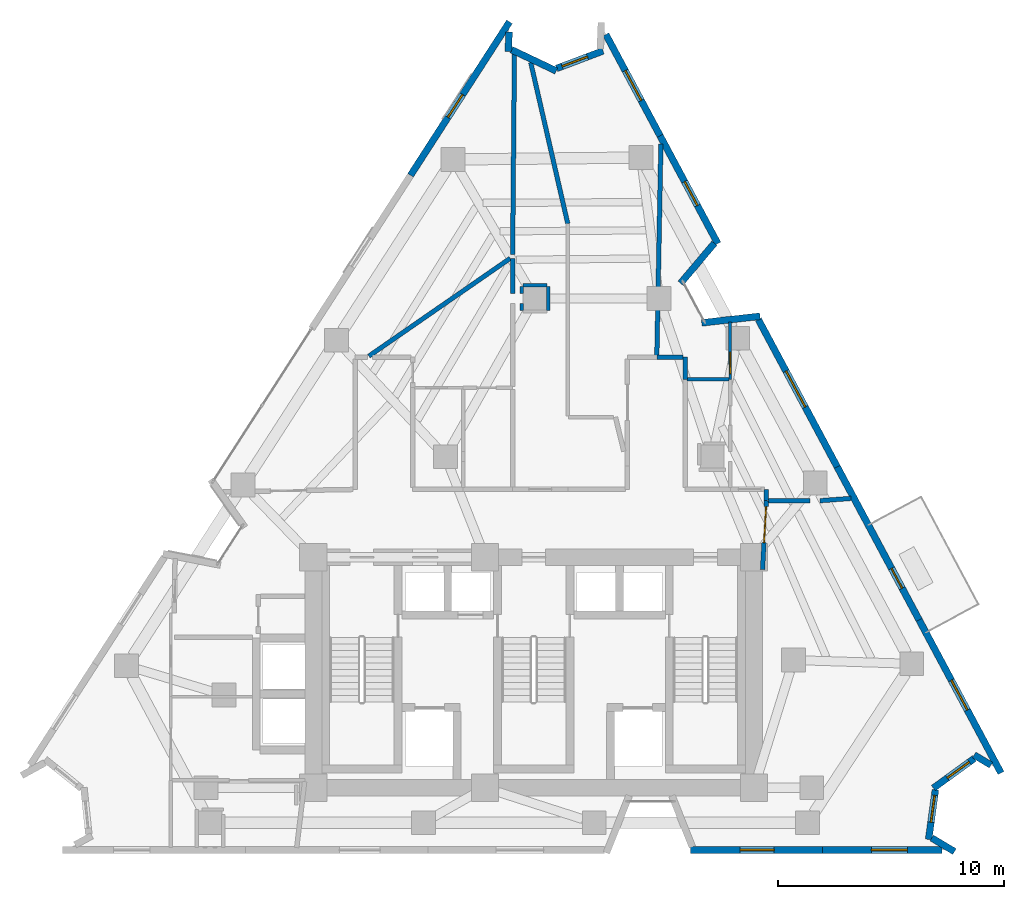
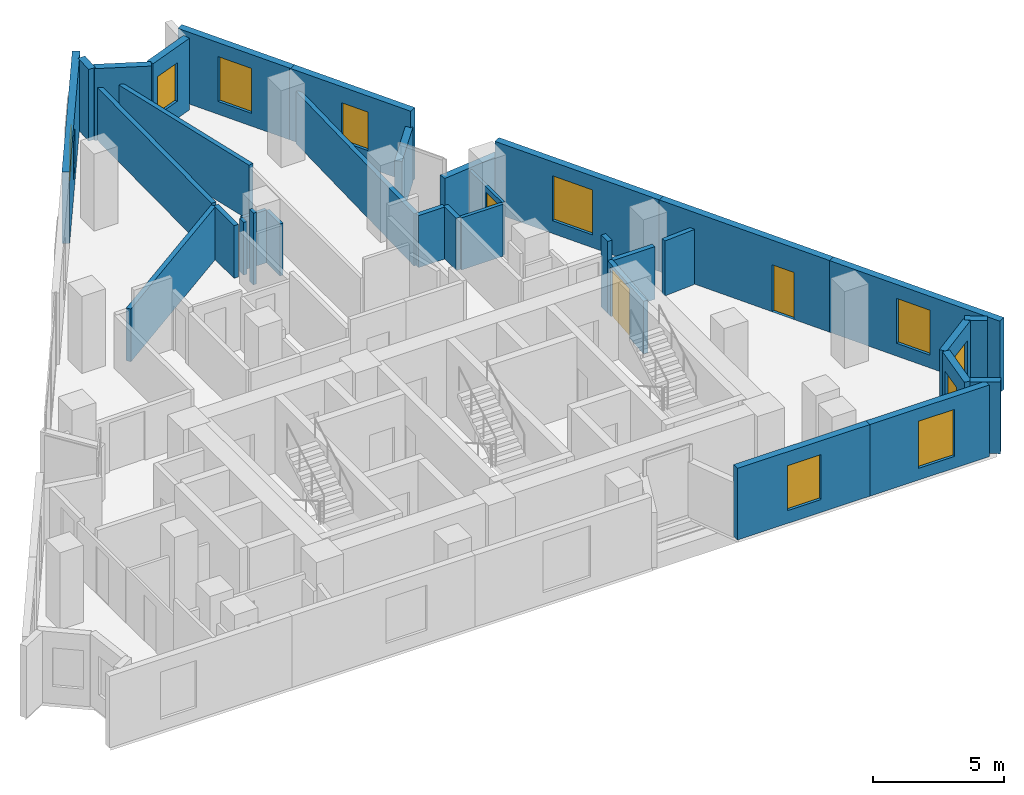
# One storey, part 8 of 11: 34 walls, 10 windows, 3 doors, 13 openings.
"""IFC4 building model written with IfcOpenShell, lengths in metres."""

from ifc_helpers import new_model, si_unit, direction, frame, frame_2d, origin, place, context, subcontext, project, spatial, rectangle, extrude, material, layer, layer_set, type_object, element, fill, save


model = new_model("IFC4")

# Units and contexts
model_context = context("Model", 3, precision=1e-05, world=origin(), true_north=direction((0.0, 1.0)))
body_context = subcontext(model_context, "Body", "Model", "MODEL_VIEW")
ifc_project = project(units=[si_unit("LENGTHUNIT", "METRE"), si_unit("AREAUNIT", "SQUARE_METRE"), si_unit("VOLUMEUNIT", "CUBIC_METRE"), si_unit("PLANEANGLEUNIT", "RADIAN"), si_unit("MASSUNIT", "GRAM", prefix="KILO")], contexts=[model_context])

# Site, building, storey
site_placement = place(None, origin())
site = spatial("IfcSite", under=ifc_project, at=site_placement, CompositionType="ELEMENT")
building_placement = place(site_placement, origin())
building = spatial("IfcBuilding", under=site, at=building_placement, Name="Almagre Mirador Tower", CompositionType="ELEMENT")
storey_placement = place(building_placement, frame((0.0, 0.0, 189.60009765625)))
storey = spatial("IfcBuildingStorey", under=building, at=storey_placement, Name="L49", CompositionType="ELEMENT", Elevation=189.60009765625)

# Wall, opening, window
ifc_material_1 = material(Name="Precast concrete C50/60", Category="concrete")
ifc_layer_1 = layer(ifc_material_1, 0.300048828125)
ifc_layer_set_1 = layer_set([ifc_layer_1], Name="Precast concrete C50/60")
wall_type_1 = type_object("IfcWallType", Name="WAL-EXT-300", PredefinedType="SOLIDWALL", material=ifc_layer_set_1)
wall_1_placement = place(storey_placement, frame((31.853271484375, 31.64990234375, 0.0), z_axis=(0.0, 0.0, 1.0), x_axis=(0.542006403754, 0.84037435604, 0.0)))
wall_1 = element("IfcWall", 1, at=wall_1_placement, inside=storey, type_object=wall_type_1, Name="L49 expressed almagre precast frame wall 04", PredefinedType="SOLIDWALL", context=body_context, shape_type="SweptSolid", body=[
    extrude(rectangle(XDim=8.07861328125, YDim=0.300048828125, at=frame_2d((4.039306640625, 0.0))), origin(), (0.0, 0.0, 1.0), 3.349853515625),
])
opening_1_placement = place(wall_1_placement, frame((3.050048828125, 0.0, 0.800048828125)))
opening_1 = element("IfcOpeningElement", 2, at=opening_1_placement, cuts=wall_1, Name="Opening WN-04", PredefinedType="OPENING", context=body_context, shape_type="SweptSolid", body=[
    extrude(rectangle(XDim=1.199951171875, YDim=1.800048828125, at=frame_2d((0.60009765625, 0.89990234375))), frame((0.0, 0.159902, 0.0), z_axis=(0.0, -1.0, 0.0), x_axis=(1.0, 0.0, 0.0)), (0.0, 0.0, 1.0), 0.320049),
])
ifc_material_2 = material(Name="Dark solar-control laminated hurricane glass", Category="glass")
window_type_1 = type_object("IfcWindowType", Name="WIN-1200X1800", PartitioningType="SINGLE_PANEL", PredefinedType="WINDOW", material=ifc_material_2)
window_1_placement = place(opening_1_placement, origin())
window_1 = element("IfcWindow", 3, at=window_1_placement, inside=storey, type_object=window_type_1, Name="L49 recessed hurricane window L49-RST-D", OverallHeight=1.800048828125, OverallWidth=1.199951171875, PartitioningType="SINGLE_PANEL", PredefinedType="WINDOW", context=body_context, shape_type="SweptSolid", body=[
    extrude(rectangle(XDim=1.199951171875, YDim=1.800048828125, at=frame_2d((0.60009765625, 0.89990234375))), frame((0.0, 0.030029296875, 0.0), z_axis=(0.0, -1.0, 0.0), x_axis=(1.0, 0.0, 0.0)), (0.0, 0.0, 1.0), 0.06005859375),
])
fill(opening_1, window_1)

# Walls
wall_2_placement = place(storey_placement, frame((36.213623046875, 37.994384765625, 0.0), z_axis=(0.0, 0.0, 1.0), x_axis=(-0.040926134278, -0.999162174791, 0.0)))
element("IfcWall", 4, at=wall_2_placement, inside=storey, type_object=wall_type_1, Name="L49 expressed almagre precast frame wall 05", PredefinedType="SOLIDWALL", context=body_context, shape_type="SweptSolid", body=[
    extrude(rectangle(XDim=0.864990234375, YDim=0.300048828125, at=frame_2d((0.4326171875, 0.0))), origin(), (0.0, 0.0, 1.0), 3.349853515625),
])
wall_3_placement = place(storey_placement, frame((36.310546875, 37.2099609375, 0.0), z_axis=(0.0, 0.0, 1.0), x_axis=(0.903471604204, -0.428647944585, 0.0)))
element("IfcWall", 5, at=wall_3_placement, inside=storey, type_object=wall_type_1, Name="L49 expressed almagre precast frame wall 06", PredefinedType="SOLIDWALL", context=body_context, shape_type="SweptSolid", body=[
    extrude(rectangle(XDim=2.204833984375, YDim=0.300048828125, at=frame_2d((1.1025390625, 0.0))), origin(), (0.0, 0.0, 1.0), 3.349853515625),
])

# Wall, opening, window
wall_4_placement = place(storey_placement, frame((38.31640625, 36.3779296875, 0.0), z_axis=(0.0, 0.0, 1.0), x_axis=(0.935503953589, 0.353316222129, 0.0)))
wall_4 = element("IfcWall", 6, at=wall_4_placement, inside=storey, type_object=wall_type_1, Name="L49 expressed almagre precast frame wall 07", PredefinedType="SOLIDWALL", context=body_context, shape_type="SweptSolid", body=[
    extrude(rectangle(XDim=2.1953125, YDim=0.300048828125, at=frame_2d((1.09765625, 0.0))), origin(), (0.0, 0.0, 1.0), 3.349853515625),
])
opening_2_placement = place(wall_4_placement, frame((0.260009765625, 0.0, 0.800048828125)))
opening_2 = element("IfcOpeningElement", 7, at=opening_2_placement, cuts=wall_4, Name="Opening WN-04", PredefinedType="OPENING", context=body_context, shape_type="SweptSolid", body=[
    extrude(rectangle(XDim=1.199951171875, YDim=1.800048828125, at=frame_2d((0.60009765625, 0.89990234375))), frame((0.0, 0.159902, 0.0), z_axis=(0.0, -1.0, 0.0), x_axis=(1.0, 0.0, 0.0)), (0.0, 0.0, 1.0), 0.320049),
])
window_2_placement = place(opening_2_placement, origin())
window_2 = element("IfcWindow", 8, at=window_2_placement, inside=storey, type_object=window_type_1, Name="L49 recessed hurricane window L49-RST-H", OverallHeight=1.800048828125, OverallWidth=1.199951171875, PartitioningType="SINGLE_PANEL", PredefinedType="WINDOW", context=body_context, shape_type="SweptSolid", body=[
    extrude(rectangle(XDim=1.199951171875, YDim=1.800048828125, at=frame_2d((0.60009765625, 0.89990234375))), frame((0.0, 0.030029296875, 0.0), z_axis=(0.0, -1.0, 0.0), x_axis=(1.0, 0.0, 0.0)), (0.0, 0.0, 1.0), 0.06005859375),
])
fill(opening_2, window_2)

wall_5_placement = place(storey_placement, frame((40.4970703125, 37.880615234375, 0.0), z_axis=(0.0, 0.0, 1.0), x_axis=(0.471779002276, -0.881716832669, 0.0)))
wall_5 = element("IfcWall", 9, at=wall_5_placement, inside=storey, type_object=wall_type_1, Name="L49 expressed almagre precast frame wall 09", PredefinedType="SOLIDWALL", context=body_context, shape_type="SweptSolid", body=[
    extrude(rectangle(XDim=5.0849609375, YDim=0.300048828125, at=frame_2d((2.54248046875, 0.0))), origin(), (0.0, 0.0, 1.0), 3.349853515625),
])
opening_3_placement = place(wall_5_placement, frame((1.81494140625, 0.0, 0.60009765625)))
opening_3 = element("IfcOpeningElement", 10, at=opening_3_placement, cuts=wall_5, Name="Opening WN-03", PredefinedType="OPENING", context=body_context, shape_type="SweptSolid", body=[
    extrude(rectangle(XDim=1.5, YDim=2.10009765625, at=frame_2d((0.75, 1.050048828125))), frame((0.0, 0.159902, 0.0), z_axis=(0.0, -1.0, 0.0), x_axis=(1.0, 0.0, 0.0)), (0.0, 0.0, 1.0), 0.320049),
])
ifc_material_3 = material(Name="Dark solar-control laminated hurricane glass", Category="glass")
window_type_2 = type_object("IfcWindowType", Name="WIN-1500X2100", PartitioningType="DOUBLE_PANEL_VERTICAL", PredefinedType="WINDOW", material=ifc_material_3)
window_3_placement = place(opening_3_placement, origin())
window_3 = element("IfcWindow", 11, at=window_3_placement, inside=storey, type_object=window_type_2, Name="L49 recessed hurricane window L49-RST-H", OverallHeight=2.10009765625, OverallWidth=1.5, PartitioningType="SINGLE_PANEL", PredefinedType="WINDOW", context=body_context, shape_type="SweptSolid", body=[
    extrude(rectangle(XDim=1.5, YDim=2.10009765625, at=frame_2d((0.75, 1.050048828125))), frame((0.0, 0.030029296875, 0.0), z_axis=(0.0, -1.0, 0.0), x_axis=(1.0, 0.0, 0.0)), (0.0, 0.0, 1.0), 0.06005859375),
])
fill(opening_3, window_3)

wall_6_placement = place(storey_placement, frame((42.870849609375, 33.44384765625, 0.0), z_axis=(0.0, 0.0, 1.0), x_axis=(0.4717652995, -0.881724164457, 0.0)))
wall_6 = element("IfcWall", 12, at=wall_6_placement, inside=storey, type_object=wall_type_1, Name="L49 expressed almagre precast frame wall 10", PredefinedType="SOLIDWALL", context=body_context, shape_type="SweptSolid", body=[
    extrude(rectangle(XDim=5.466796875, YDim=0.300048828125, at=frame_2d((2.7333984375, 0.0))), origin(), (0.0, 0.0, 1.0), 3.349853515625),
])
opening_4_placement = place(wall_6_placement, frame((2.35009765625, 0.0, 0.800048828125)))
opening_4 = element("IfcOpeningElement", 13, at=opening_4_placement, cuts=wall_6, Name="Opening WN-04", PredefinedType="OPENING", context=body_context, shape_type="SweptSolid", body=[
    extrude(rectangle(XDim=1.199951171875, YDim=1.800048828125, at=frame_2d((0.60009765625, 0.89990234375))), frame((0.0, 0.159902, 0.0), z_axis=(0.0, -1.0, 0.0), x_axis=(1.0, 0.0, 0.0)), (0.0, 0.0, 1.0), 0.320049),
])
window_4_placement = place(opening_4_placement, origin())
window_4 = element("IfcWindow", 14, at=window_4_placement, inside=storey, type_object=window_type_1, Name="L49 recessed hurricane window L49-UG-KT", OverallHeight=1.800048828125, OverallWidth=1.199951171875, PartitioningType="SINGLE_PANEL", PredefinedType="WINDOW", context=body_context, shape_type="SweptSolid", body=[
    extrude(rectangle(XDim=1.199951171875, YDim=1.800048828125, at=frame_2d((0.60009765625, 0.89990234375))), frame((0.0, 0.030029296875, 0.0), z_axis=(0.0, -1.0, 0.0), x_axis=(1.0, 0.0, 0.0)), (0.0, 0.0, 1.0), 0.06005859375),
])
fill(opening_4, window_4)

# Walls
wall_7_placement = place(storey_placement, frame((45.296875, 28.643798828125, 0.0), z_axis=(0.0, 0.0, 1.0), x_axis=(-0.645172623399, -0.76403683551, 0.0)))
element("IfcWall", 15, at=wall_7_placement, inside=storey, type_object=wall_type_1, Name="L49 expressed almagre precast frame wall 11", PredefinedType="SOLIDWALL", context=body_context, shape_type="SweptSolid", body=[
    extrude(rectangle(XDim=2.31884765625, YDim=0.300048828125, at=frame_2d((1.159423828125, 0.0))), origin(), (0.0, 0.0, 1.0), 2.574951171875),
])
wall_8_placement = place(storey_placement, frame((44.73779296875, 25.120361328125, 0.0), z_axis=(0.0, 0.0, 1.0), x_axis=(0.993675379704, 0.112290871269, 0.0)))
element("IfcWall", 16, at=wall_8_placement, inside=storey, type_object=wall_type_1, Name="L49 expressed almagre precast frame wall 12", PredefinedType="SOLIDWALL", context=body_context, shape_type="SweptSolid", body=[
    extrude(rectangle(XDim=2.59375, YDim=0.300048828125, at=frame_2d((1.296875, 0.0))), origin(), (0.0, 0.0, 1.0), 2.574951171875),
])

# Wall, opening, window
wall_9_placement = place(storey_placement, frame((47.23974609375, 25.27685546875, 0.0), z_axis=(0.0, 0.0, 1.0), x_axis=(0.471730943247, -0.881742545862, 0.0)))
wall_9 = element("IfcWall", 17, at=wall_9_placement, inside=storey, type_object=wall_type_1, Name="L49 expressed almagre precast frame wall 13", PredefinedType="SOLIDWALL", context=body_context, shape_type="SweptSolid", body=[
    extrude(rectangle(XDim=7.405029296875, YDim=0.300048828125, at=frame_2d((3.70263671875, 0.0))), origin(), (0.0, 0.0, 1.0), 3.349853515625),
])
opening_5_placement = place(wall_9_placement, frame((2.60009765625, 0.0, 0.60009765625)))
opening_5 = element("IfcOpeningElement", 18, at=opening_5_placement, cuts=wall_9, Name="Opening WN-01", PredefinedType="OPENING", context=body_context, shape_type="SweptSolid", body=[
    extrude(rectangle(XDim=1.800048828125, YDim=2.10009765625, at=frame_2d((0.89990234375, 1.050048828125))), frame((0.0, 0.159902, 0.0), z_axis=(0.0, -1.0, 0.0), x_axis=(1.0, 0.0, 0.0)), (0.0, 0.0, 1.0), 0.320049),
])
ifc_material_4 = material(Name="Dark solar-control laminated hurricane glass", Category="glass")
window_type_3 = type_object("IfcWindowType", Name="WIN-1800X2100", PartitioningType="DOUBLE_PANEL_VERTICAL", PredefinedType="WINDOW", material=ifc_material_4)
window_5_placement = place(opening_5_placement, origin())
window_5 = element("IfcWindow", 19, at=window_5_placement, inside=storey, type_object=window_type_3, Name="L49 recessed hurricane window L49-UG-ST", OverallHeight=2.10009765625, OverallWidth=1.800048828125, PartitioningType="SINGLE_PANEL", PredefinedType="WINDOW", context=body_context, shape_type="SweptSolid", body=[
    extrude(rectangle(XDim=1.800048828125, YDim=2.10009765625, at=frame_2d((0.89990234375, 1.050048828125))), frame((0.0, 0.030029296875, 0.0), z_axis=(0.0, -1.0, 0.0), x_axis=(1.0, 0.0, 0.0)), (0.0, 0.0, 1.0), 0.06005859375),
])
fill(opening_5, window_5)

# Wall, opening, door
wall_10_placement = place(storey_placement, frame((50.73291015625, 18.74755859375, 0.0), z_axis=(0.0, 0.0, 1.0), x_axis=(0.471736169991, -0.881739749542, 0.0)))
wall_10 = element("IfcWall", 20, at=wall_10_placement, inside=storey, type_object=wall_type_1, Name="L49 expressed almagre precast frame wall 14", PredefinedType="SOLIDWALL", context=body_context, shape_type="SweptSolid", body=[
    extrude(rectangle(XDim=7.68017578125, YDim=0.300048828125, at=frame_2d((3.840087890625, 0.0))), origin(), (0.0, 0.0, 1.0), 3.349853515625),
])
opening_6_placement = place(wall_10_placement, frame((5.09033203125, 0.0, 0.0)))
opening_6 = element("IfcOpeningElement", 21, at=opening_6_placement, cuts=wall_10, Name="Opening BD-01", PredefinedType="OPENING", context=body_context, shape_type="SweptSolid", body=[
    extrude(rectangle(XDim=1.0, YDim=2.199951171875, at=frame_2d((0.5, 1.10009765625))), frame((0.0, 0.159902, 0.0), z_axis=(0.0, -1.0, 0.0), x_axis=(1.0, 0.0, 0.0)), (0.0, 0.0, 1.0), 0.320049),
])
ifc_material_5 = material(Name="Black anodized aluminium and laminated glass", Category="aluminium")
door_type_1 = type_object("IfcDoorType", Name="DOR-BAL-1000X2200", OperationType="NOTDEFINED", PredefinedType="DOOR", material=ifc_material_5)
door_1_placement = place(opening_6_placement, origin())
door_1 = element("IfcDoor", 22, at=door_1_placement, inside=storey, type_object=door_type_1, Name="DR-1539 L49 east balcony glazed door 1", OperationType="SINGLE_SWING_RIGHT", OverallHeight=2.199951171875, OverallWidth=1.0, PredefinedType="DOOR", context=body_context, shape_type="SweptSolid", body=[
    extrude(rectangle(XDim=1.0, YDim=2.199951171875, at=frame_2d((0.5, 1.10009765625))), frame((0.0, 0.02490234375, 0.0), z_axis=(0.0, -1.0, 0.0), x_axis=(1.0, 0.0, 0.0)), (0.0, 0.0, 1.0), 0.050048828125),
])
fill(opening_6, door_1)

# Wall, opening, window
wall_11_placement = place(storey_placement, frame((54.35595703125, 11.9755859375, 0.0), z_axis=(0.0, 0.0, 1.0), x_axis=(0.471736169991, -0.881739749542, 0.0)))
wall_11 = element("IfcWall", 23, at=wall_11_placement, inside=storey, type_object=wall_type_1, Name="L49 expressed almagre precast frame wall 15", PredefinedType="SOLIDWALL", context=body_context, shape_type="SweptSolid", body=[
    extrude(rectangle(XDim=7.68017578125, YDim=0.300048828125, at=frame_2d((3.840087890625, 0.0))), origin(), (0.0, 0.0, 1.0), 3.349853515625),
])
opening_7_placement = place(wall_11_placement, frame((3.02490234375, 0.0, 0.60009765625)))
opening_7 = element("IfcOpeningElement", 24, at=opening_7_placement, cuts=wall_11, Name="Opening WN-03", PredefinedType="OPENING", context=body_context, shape_type="SweptSolid", body=[
    extrude(rectangle(XDim=1.5, YDim=2.10009765625, at=frame_2d((0.75, 1.050048828125))), frame((0.0, 0.159902, 0.0), z_axis=(0.0, -1.0, 0.0), x_axis=(1.0, 0.0, 0.0)), (0.0, 0.0, 1.0), 0.320049),
])
window_6_placement = place(opening_7_placement, origin())
window_6 = element("IfcWindow", 25, at=window_6_placement, inside=storey, type_object=window_type_2, Name="L49 recessed hurricane window L49-UC-KT", OverallHeight=2.10009765625, OverallWidth=1.5, PartitioningType="SINGLE_PANEL", PredefinedType="WINDOW", context=body_context, shape_type="SweptSolid", body=[
    extrude(rectangle(XDim=1.5, YDim=2.10009765625, at=frame_2d((0.75, 1.050048828125))), frame((0.0, 0.030029296875, 0.0), z_axis=(0.0, -1.0, 0.0), x_axis=(1.0, 0.0, 0.0)), (0.0, 0.0, 1.0), 0.06005859375),
])
fill(opening_7, window_6)

# Wall
wall_12_placement = place(storey_placement, frame((57.535400390625, 5.552978515625, 0.0), z_axis=(0.0, 0.0, 1.0), x_axis=(-0.85796292369, 0.513711613236, 0.0)))
element("IfcWall", 26, at=wall_12_placement, inside=storey, type_object=wall_type_1, Name="L49 expressed almagre precast frame wall 16", PredefinedType="SOLIDWALL", context=body_context, shape_type="SweptSolid", body=[
    extrude(rectangle(XDim=0.8701171875, YDim=0.300048828125, at=frame_2d((0.43505859375, 0.0))), origin(), (0.0, 0.0, 1.0), 3.349853515625),
])

# Wall, opening, window
wall_13_placement = place(storey_placement, frame((56.795654296875, 5.845947265625, 0.0), z_axis=(0.0, 0.0, 1.0), x_axis=(-0.809618227437, -0.586956834701, 0.0)))
wall_13 = element("IfcWall", 27, at=wall_13_placement, inside=storey, type_object=wall_type_1, Name="L49 expressed almagre precast frame wall 17", PredefinedType="SOLIDWALL", context=body_context, shape_type="SweptSolid", body=[
    extrude(rectangle(XDim=2.235595703125, YDim=0.300048828125, at=frame_2d((1.11767578125, 0.0))), origin(), (0.0, 0.0, 1.0), 3.349853515625),
])
opening_8_placement = place(wall_13_placement, frame((0.27001953125, 0.0, 0.800048828125)))
opening_8 = element("IfcOpeningElement", 28, at=opening_8_placement, cuts=wall_13, Name="Opening WN-04", PredefinedType="OPENING", context=body_context, shape_type="SweptSolid", body=[
    extrude(rectangle(XDim=1.199951171875, YDim=1.800048828125, at=frame_2d((0.60009765625, 0.89990234375))), frame((0.0, 0.159902, 0.0), z_axis=(0.0, -1.0, 0.0), x_axis=(1.0, 0.0, 0.0)), (0.0, 0.0, 1.0), 0.320049),
])
window_7_placement = place(opening_8_placement, origin())
window_7 = element("IfcWindow", 29, at=window_7_placement, inside=storey, type_object=window_type_1, Name="L49 recessed hurricane window L49-UC-KT", OverallHeight=1.800048828125, OverallWidth=1.199951171875, PartitioningType="SINGLE_PANEL", PredefinedType="WINDOW", context=body_context, shape_type="SweptSolid", body=[
    extrude(rectangle(XDim=1.199951171875, YDim=1.800048828125, at=frame_2d((0.60009765625, 0.89990234375))), frame((0.0, 0.030029296875, 0.0), z_axis=(0.0, -1.0, 0.0), x_axis=(1.0, 0.0, 0.0)), (0.0, 0.0, 1.0), 0.06005859375),
])
fill(opening_8, window_7)

wall_14_placement = place(storey_placement, frame((55.077392578125, 4.45751953125, 0.0), z_axis=(0.0, 0.0, 1.0), x_axis=(-0.135526215052, -0.990773760772, 0.0)))
wall_14 = element("IfcWall", 30, at=wall_14_placement, inside=storey, type_object=wall_type_1, Name="L49 expressed almagre precast frame wall 18", PredefinedType="SOLIDWALL", context=body_context, shape_type="SweptSolid", body=[
    extrude(rectangle(XDim=2.2158203125, YDim=0.300048828125, at=frame_2d((1.10791015625, 0.0))), origin(), (0.0, 0.0, 1.0), 3.349853515625),
])
opening_9_placement = place(wall_14_placement, frame((0.25, 0.0, 0.800048828125)))
opening_9 = element("IfcOpeningElement", 31, at=opening_9_placement, cuts=wall_14, Name="Opening WN-04", PredefinedType="OPENING", context=body_context, shape_type="SweptSolid", body=[
    extrude(rectangle(XDim=1.199951171875, YDim=1.800048828125, at=frame_2d((0.60009765625, 0.89990234375))), frame((0.0, 0.159902, 0.0), z_axis=(0.0, -1.0, 0.0), x_axis=(1.0, 0.0, 0.0)), (0.0, 0.0, 1.0), 0.320049),
])
window_8_placement = place(opening_9_placement, origin())
window_8 = element("IfcWindow", 32, at=window_8_placement, inside=storey, type_object=window_type_1, Name="L49 recessed hurricane window L49-UC-BT", OverallHeight=1.800048828125, OverallWidth=1.199951171875, PartitioningType="SINGLE_PANEL", PredefinedType="WINDOW", context=body_context, shape_type="SweptSolid", body=[
    extrude(rectangle(XDim=1.199951171875, YDim=1.800048828125, at=frame_2d((0.60009765625, 0.89990234375))), frame((0.0, 0.030029296875, 0.0), z_axis=(0.0, -1.0, 0.0), x_axis=(1.0, 0.0, 0.0)), (0.0, 0.0, 1.0), 0.06005859375),
])
fill(opening_9, window_8)

# Wall
wall_15_placement = place(storey_placement, frame((54.916015625, 2.3291015625, 0.0), z_axis=(0.0, 0.0, 1.0), x_axis=(0.858026268656, -0.513605804384, 0.0)))
element("IfcWall", 33, at=wall_15_placement, inside=storey, type_object=wall_type_1, Name="L49 expressed almagre precast frame wall 19", PredefinedType="SOLIDWALL", context=body_context, shape_type="SweptSolid", body=[
    extrude(rectangle(XDim=1.17041015625, YDim=0.300048828125, at=frame_2d((0.585205078125, 0.0))), origin(), (0.0, 0.0, 1.0), 3.349853515625),
])

# Wall, opening, window
wall_16_placement = place(storey_placement, frame((55.3701171875, 1.800048828125, 0.0), z_axis=(0.0, 0.0, 1.0), x_axis=(-1.0, 0.0, 0.0)))
wall_16 = element("IfcWall", 34, at=wall_16_placement, inside=storey, type_object=wall_type_1, Name="L49 expressed almagre precast frame wall 20", PredefinedType="SOLIDWALL", context=body_context, shape_type="SweptSolid", body=[
    extrude(rectangle(XDim=5.2841796875, YDim=0.300048828125, at=frame_2d((2.64208984375, 0.0))), origin(), (0.0, 0.0, 1.0), 3.349853515625),
])
opening_10_placement = place(wall_16_placement, frame((1.530029296875, 0.0, 0.550048828125)))
opening_10 = element("IfcOpeningElement", 35, at=opening_10_placement, cuts=wall_16, Name="Opening WN-06", PredefinedType="OPENING", context=body_context, shape_type="SweptSolid", body=[
    extrude(rectangle(XDim=1.60009765625, YDim=2.199951171875, at=frame_2d((0.800048828125, 1.10009765625))), frame((0.0, 0.159902, 0.0), z_axis=(0.0, -1.0, 0.0), x_axis=(1.0, 0.0, 0.0)), (0.0, 0.0, 1.0), 0.320049),
])
ifc_material_6 = material(Name="Dark solar-control laminated hurricane glass", Category="glass")
window_type_4 = type_object("IfcWindowType", Name="WIN-1600X2200", PartitioningType="DOUBLE_PANEL_VERTICAL", PredefinedType="WINDOW", material=ifc_material_6)
window_9_placement = place(opening_10_placement, origin())
window_9 = element("IfcWindow", 36, at=window_9_placement, inside=storey, type_object=window_type_4, Name="L49 recessed hurricane window L49-UC-BT", OverallHeight=2.199951171875, OverallWidth=1.60009765625, PartitioningType="SINGLE_PANEL", PredefinedType="WINDOW", context=body_context, shape_type="SweptSolid", body=[
    extrude(rectangle(XDim=1.60009765625, YDim=2.199951171875, at=frame_2d((0.800048828125, 1.10009765625))), frame((0.0, 0.030029296875, 0.0), z_axis=(0.0, -1.0, 0.0), x_axis=(1.0, 0.0, 0.0)), (0.0, 0.0, 1.0), 0.06005859375),
])
fill(opening_10, window_9)

wall_17_placement = place(storey_placement, frame((50.0859375, 1.800048828125, 0.0), z_axis=(0.0, 0.0, 1.0), x_axis=(-1.0, 0.0, 0.0)))
wall_17 = element("IfcWall", 37, at=wall_17_placement, inside=storey, type_object=wall_type_1, Name="L49 expressed almagre precast frame wall 21", PredefinedType="SOLIDWALL", context=body_context, shape_type="SweptSolid", body=[
    extrude(rectangle(XDim=5.85400390625, YDim=0.300048828125, at=frame_2d((2.927001953125, 0.0))), origin(), (0.0, 0.0, 1.0), 3.349853515625),
])
opening_11_placement = place(wall_17_placement, frame((2.14990234375, 0.0, 0.60009765625)))
opening_11 = element("IfcOpeningElement", 38, at=opening_11_placement, cuts=wall_17, Name="Opening WN-03", PredefinedType="OPENING", context=body_context, shape_type="SweptSolid", body=[
    extrude(rectangle(XDim=1.5, YDim=2.10009765625, at=frame_2d((0.75, 1.050048828125))), frame((0.0, 0.159902, 0.0), z_axis=(0.0, -1.0, 0.0), x_axis=(1.0, 0.0, 0.0)), (0.0, 0.0, 1.0), 0.320049),
])
window_10_placement = place(opening_11_placement, origin())
window_10 = element("IfcWindow", 39, at=window_10_placement, inside=storey, type_object=window_type_2, Name="L49 recessed hurricane window L49-RST-B", OverallHeight=2.10009765625, OverallWidth=1.5, PartitioningType="SINGLE_PANEL", PredefinedType="WINDOW", context=body_context, shape_type="SweptSolid", body=[
    extrude(rectangle(XDim=1.5, YDim=2.10009765625, at=frame_2d((0.75, 1.050048828125))), frame((0.0, 0.030029296875, 0.0), z_axis=(0.0, -1.0, 0.0), x_axis=(1.0, 0.0, 0.0)), (0.0, 0.0, 1.0), 0.06005859375),
])
fill(opening_11, window_10)

# Wall, opening, door
ifc_material_7 = material(Name="Gypsum acoustic stud partition", Category="other")
ifc_layer_2 = layer(ifc_material_7, 0.125)
ifc_layer_set_2 = layer_set([ifc_layer_2], Name="Gypsum acoustic stud partition")
wall_type_2 = type_object("IfcWallType", Name="WAL-PRT-125-UTL", PredefinedType="PARTITIONING", material=ifc_layer_set_2)
wall_18_placement = place(storey_placement, frame((45.98095703125, 25.160888671875, 0.0), z_axis=(0.0, 0.0, 1.0), x_axis=(0.007494744815, -0.999971914006, 0.0)))
wall_18 = element("IfcWall", 40, at=wall_18_placement, inside=storey, type_object=wall_type_2, Name="L49 interior partition 054", PredefinedType="PARTITIONING", context=body_context, shape_type="SweptSolid", body=[
    extrude(rectangle(XDim=2.540771484375, YDim=0.125, at=frame_2d((1.2705078125, 0.0))), origin(), (0.0, 0.0, 1.0), 2.4638671875),
])
opening_12_placement = place(wall_18_placement, frame((1.333740234375, 0.0, 0.0)))
opening_12 = element("IfcOpeningElement", 41, at=opening_12_placement, cuts=wall_18, Name="Opening UD-01", PredefinedType="OPENING", context=body_context, shape_type="SweptSolid", body=[
    extrude(rectangle(XDim=0.949951171875, YDim=2.199951171875, at=frame_2d((0.47509765625, 1.10009765625))), frame((0.0, 0.0725, 0.0), z_axis=(0.0, -1.0, 0.0), x_axis=(1.0, 0.0, 0.0)), (0.0, 0.0, 1.0), 0.145),
])
ifc_material_8 = material(Name="Solid American walnut timber", Category="wood")
door_type_2 = type_object("IfcDoorType", Name="DOR-UNR-950X2200", OperationType="NOTDEFINED", PredefinedType="DOOR", material=ifc_material_8)
door_2_placement = place(opening_12_placement, origin())
door_2 = element("IfcDoor", 42, at=door_2_placement, inside=storey, type_object=door_type_2, Name="DR-1556 L49 interior door L49-UG-ST to L49-UG-KT", OperationType="SINGLE_SWING_RIGHT", OverallHeight=2.199951171875, OverallWidth=0.949951171875, PredefinedType="DOOR", context=body_context, shape_type="SweptSolid", body=[
    extrude(rectangle(XDim=0.949951171875, YDim=2.199951171875, at=frame_2d((0.47509765625, 1.10009765625))), frame((0.0, 0.02490234375, 0.0), z_axis=(0.0, -1.0, 0.0), x_axis=(1.0, 0.0, 0.0)), (0.0, 0.0, 1.0), 0.050048828125),
])
fill(opening_12, door_2)

# Walls
ifc_material_9 = material(Name="Gypsum acoustic stud partition", Category="other")
ifc_layer_3 = layer(ifc_material_9, 0.14990234375)
ifc_layer_set_3 = layer_set([ifc_layer_3], Name="Gypsum acoustic stud partition")
wall_type_3 = type_object("IfcWallType", Name="WAL-PRT-150-STD", PredefinedType="PARTITIONING", material=ifc_layer_set_3)
wall_19_placement = place(storey_placement, frame((45.93994140625, 22.6201171875, 0.0), z_axis=(0.0, 0.0, 1.0), x_axis=(-1.0, 0.0, 0.0)))
element("IfcWall", 43, at=wall_19_placement, inside=storey, type_object=wall_type_3, Name="L49 interior partition 055", PredefinedType="PARTITIONING", context=body_context, shape_type="SweptSolid", body=[
    extrude(rectangle(XDim=1.85498046875, YDim=0.14990234375, at=frame_2d((0.927490234375, 0.0))), origin(), (0.0, 0.0, 1.0), 2.435791015625),
])
wall_20_placement = place(storey_placement, frame((36.77001953125, 26.419921875, 0.0), z_axis=(0.0, 0.0, 1.0), x_axis=(0.0, 1.0, 0.0)))
element("IfcWall", 44, at=wall_20_placement, inside=storey, type_object=wall_type_3, Name="L49 interior partition 067", PredefinedType="PARTITIONING", context=body_context, shape_type="SweptSolid", body=[
    extrude(rectangle(XDim=0.31005859375, YDim=0.14990234375, at=frame_2d((0.155029296875, 0.0))), origin(), (0.0, 0.0, 1.0), 2.4638671875),
])
wall_21_placement = place(storey_placement, frame((36.820068359375, 26.780029296875, 0.0), z_axis=(0.0, 0.0, 1.0), x_axis=(1.0, 0.0, 0.0)))
element("IfcWall", 45, at=wall_21_placement, inside=storey, type_object=wall_type_3, Name="L49 interior partition 068", PredefinedType="PARTITIONING", context=body_context, shape_type="SweptSolid", body=[
    extrude(rectangle(XDim=1.06982421875, YDim=0.14990234375, at=frame_2d((0.534912109375, 0.0))), origin(), (0.0, 0.0, 1.0), 2.4638671875),
])
wall_22_placement = place(storey_placement, frame((37.93994140625, 26.72998046875, 0.0), z_axis=(0.0, 0.0, 1.0), x_axis=(0.0, -1.0, 0.0)))
element("IfcWall", 46, at=wall_22_placement, inside=storey, type_object=wall_type_3, Name="L49 interior partition 069", PredefinedType="PARTITIONING", context=body_context, shape_type="SweptSolid", body=[
    extrude(rectangle(XDim=1.06005859375, YDim=0.14990234375, at=frame_2d((0.530029296875, 0.0))), origin(), (0.0, 0.0, 1.0), 2.435791015625),
])
wall_23_placement = place(storey_placement, frame((36.77001953125, 25.669921875, 0.0), z_axis=(0.0, 0.0, 1.0), x_axis=(0.0, 1.0, 0.0)))
element("IfcWall", 47, at=wall_23_placement, inside=storey, type_object=wall_type_3, Name="L49 interior partition 071", PredefinedType="PARTITIONING", context=body_context, shape_type="SweptSolid", body=[
    extrude(rectangle(XDim=0.31005859375, YDim=0.14990234375, at=frame_2d((0.155029296875, 0.0))), origin(), (0.0, 0.0, 1.0), 3.349853515625),
])

# Wall, opening, door
ifc_material_10 = material(Name="Gypsum acoustic stud partition", Category="other")
ifc_layer_4 = layer(ifc_material_10, 0.199951171875)
ifc_layer_set_4 = layer_set([ifc_layer_4], Name="Gypsum acoustic stud partition")
wall_type_4 = type_object("IfcWallType", Name="WAL-PRT-200-EI60", PredefinedType="PARTITIONING", material=ifc_layer_set_4)
wall_24_placement = place(storey_placement, frame((47.425048828125, 14.199951171875, 0.0), z_axis=(0.0, 0.0, 1.0), x_axis=(0.057297851692, 0.998357128582, 0.0)))
wall_24 = element("IfcWall", 48, at=wall_24_placement, inside=storey, type_object=wall_type_4, Name="L49 interior partition 004", PredefinedType="PARTITIONING", context=body_context, shape_type="SweptSolid", body=[
    extrude(rectangle(XDim=3.05517578125, YDim=0.199951171875, at=frame_2d((1.527587890625, 0.0))), origin(), (0.0, 0.0, 1.0), 2.4638671875),
])
opening_13_placement = place(wall_24_placement, frame((1.197509765625, 0.0, 0.0)))
opening_13 = element("IfcOpeningElement", 49, at=opening_13_placement, cuts=wall_24, Name="Opening ID-05", PredefinedType="OPENING", context=body_context, shape_type="SweptSolid", body=[
    extrude(rectangle(XDim=1.60009765625, YDim=2.300048828125, at=frame_2d((0.800048828125, 1.14990234375))), frame((0.0, 0.110098, 0.0), z_axis=(0.0, -1.0, 0.0), x_axis=(1.0, 0.0, 0.0)), (0.0, 0.0, 1.0), 0.219951),
])
ifc_material_11 = material(Name="Fire-rated acoustic timber", Category="wood")
door_type_3 = type_object("IfcDoorType", Name="DOR-FD60-1600X2300", OperationType="DOUBLE_DOOR_SINGLE_SWING", PredefinedType="DOOR", material=ifc_material_11)
door_3_placement = place(opening_13_placement, origin())
door_3 = element("IfcDoor", 50, at=door_3_placement, inside=storey, type_object=door_type_3, Name="DR-1545 L49 interior door L49-RCOR to L49-RST-B", OperationType="DOUBLE_DOOR_SINGLE_SWING", OverallHeight=2.300048828125, OverallWidth=1.60009765625, PredefinedType="DOOR", context=body_context, shape_type="SweptSolid", body=[
    extrude(rectangle(XDim=1.60009765625, YDim=2.300048828125, at=frame_2d((0.800048828125, 1.14990234375))), frame((0.0, 0.02490234375, 0.0), z_axis=(0.0, -1.0, 0.0), x_axis=(1.0, 0.0, 0.0)), (0.0, 0.0, 1.0), 0.050048828125),
])
fill(opening_13, door_3)

# Walls
wall_25_placement = place(storey_placement, frame((47.60009765625, 17.25, 0.0), z_axis=(0.0, 0.0, 1.0), x_axis=(0.0, 1.0, 0.0)))
element("IfcWall", 51, at=wall_25_placement, inside=storey, type_object=wall_type_4, Name="L49 interior partition 016", PredefinedType="PARTITIONING", context=body_context, shape_type="SweptSolid", body=[
    extrude(rectangle(XDim=0.5, YDim=0.199951171875, at=frame_2d((0.25, 0.0))), origin(), (0.0, 0.0, 1.0), 3.349853515625),
])
wall_26_placement = place(storey_placement, frame((44.0, 22.6201171875, 0.0), z_axis=(0.0, 0.0, 1.0), x_axis=(0.0, 1.0, 0.0)))
element("IfcWall", 52, at=wall_26_placement, inside=storey, type_object=wall_type_4, Name="L49 interior partition 020", PredefinedType="PARTITIONING", context=body_context, shape_type="SweptSolid", body=[
    extrude(rectangle(XDim=0.97998046875, YDim=0.199951171875, at=frame_2d((0.489990234375, 0.0))), origin(), (0.0, 0.0, 1.0), 2.435791015625),
])
wall_27_placement = place(storey_placement, frame((43.9150390625, 23.60009765625, 0.0), z_axis=(0.0, 0.0, 1.0), x_axis=(-1.0, 0.0, 0.0)))
element("IfcWall", 53, at=wall_27_placement, inside=storey, type_object=wall_type_4, Name="L49 interior partition 021", PredefinedType="PARTITIONING", context=body_context, shape_type="SweptSolid", body=[
    extrude(rectangle(XDim=1.1650390625, YDim=0.199951171875, at=frame_2d((0.58251953125, 0.0))), origin(), (0.0, 0.0, 1.0), 2.435791015625),
])
wall_28_placement = place(storey_placement, frame((49.530029296875, 17.25, 0.0), z_axis=(0.0, 0.0, 1.0), x_axis=(-1.0, 0.0, 0.0)))
element("IfcWall", 54, at=wall_28_placement, inside=storey, type_object=wall_type_4, Name="L49 interior partition 032", PredefinedType="PARTITIONING", context=body_context, shape_type="SweptSolid", body=[
    extrude(rectangle(XDim=1.844970703125, YDim=0.199951171875, at=frame_2d((0.92236328125, 0.0))), origin(), (0.0, 0.0, 1.0), 2.4638671875),
])
wall_29_placement = place(storey_placement, frame((51.344970703125, 17.35302734375, 0.0), z_axis=(0.0, 0.0, 1.0), x_axis=(-0.997204589504, -0.074719520023, 0.0)))
element("IfcWall", 55, at=wall_29_placement, inside=storey, type_object=wall_type_4, Name="L49 interior partition 033", PredefinedType="PARTITIONING", context=body_context, shape_type="SweptSolid", body=[
    extrude(rectangle(XDim=1.37890625, YDim=0.199951171875, at=frame_2d((0.689453125, 0.0))), origin(), (0.0, 0.0, 1.0), 2.56982421875),
])
wall_30_placement = place(storey_placement, frame((30.010009765625, 23.6484375, 0.0), z_axis=(0.0, 0.0, 1.0), x_axis=(0.822283485257, 0.569078087677, 0.0)))
element("IfcWall", 56, at=wall_30_placement, inside=storey, type_object=wall_type_4, Name="L49 interior partition 039", PredefinedType="PARTITIONING", context=body_context, shape_type="SweptSolid", body=[
    extrude(rectangle(XDim=7.604736328125, YDim=0.199951171875, at=frame_2d((3.80224609375, 0.0))), origin(), (0.0, 0.0, 1.0), 2.4638671875),
])
wall_31_placement = place(storey_placement, frame((36.37060546875, 28.135009765625, 0.0), z_axis=(0.0, 0.0, 1.0), x_axis=(0.008827067816, 0.999961040678, 0.0)))
element("IfcWall", 57, at=wall_31_placement, inside=storey, type_object=wall_type_4, Name="L49 interior partition 040", PredefinedType="PARTITIONING", context=body_context, shape_type="SweptSolid", body=[
    extrude(rectangle(XDim=8.878173828125, YDim=0.199951171875, at=frame_2d((4.43896484375, 0.0))), origin(), (0.0, 0.0, 1.0), 2.4638671875),
])
wall_32_placement = place(storey_placement, frame((36.3701171875, 26.419921875, 0.0), z_axis=(0.0, 0.0, 1.0), x_axis=(0.0, 1.0, 0.0)))
element("IfcWall", 58, at=wall_32_placement, inside=storey, type_object=wall_type_4, Name="L49 interior partition 044", PredefinedType="PARTITIONING", context=body_context, shape_type="SweptSolid", body=[
    extrude(rectangle(XDim=1.545166015625, YDim=0.199951171875, at=frame_2d((0.7724609375, 0.0))), origin(), (0.0, 0.0, 1.0), 2.4638671875),
])
wall_33_placement = place(storey_placement, frame((38.81005859375, 29.510009765625, 0.0), z_axis=(0.0, 0.0, 1.0), x_axis=(-0.224116325186, 0.974562400663, 0.0)))
element("IfcWall", 59, at=wall_33_placement, inside=storey, type_object=wall_type_4, Name="L49 interior partition 050", PredefinedType="PARTITIONING", context=body_context, shape_type="SweptSolid", body=[
    extrude(rectangle(XDim=7.318359375, YDim=0.199951171875, at=frame_2d((3.6591796875, 0.0))), origin(), (0.0, 0.0, 1.0), 2.56982421875),
])
wall_34_placement = place(storey_placement, frame((42.929931640625, 33.02490234375, 0.0), z_axis=(0.0, 0.0, 1.0), x_axis=(-0.019130751699, -0.999816990423, 0.0)))
element("IfcWall", 60, at=wall_34_placement, inside=storey, type_object=wall_type_4, Name="L49 interior partition 056", PredefinedType="PARTITIONING", context=body_context, shape_type="SweptSolid", body=[
    extrude(rectangle(XDim=9.341552734375, YDim=0.199951171875, at=frame_2d((4.6708984375, 0.0))), origin(), (0.0, 0.0, 1.0), 2.435791015625),
])

save(model, "model.ifc")
